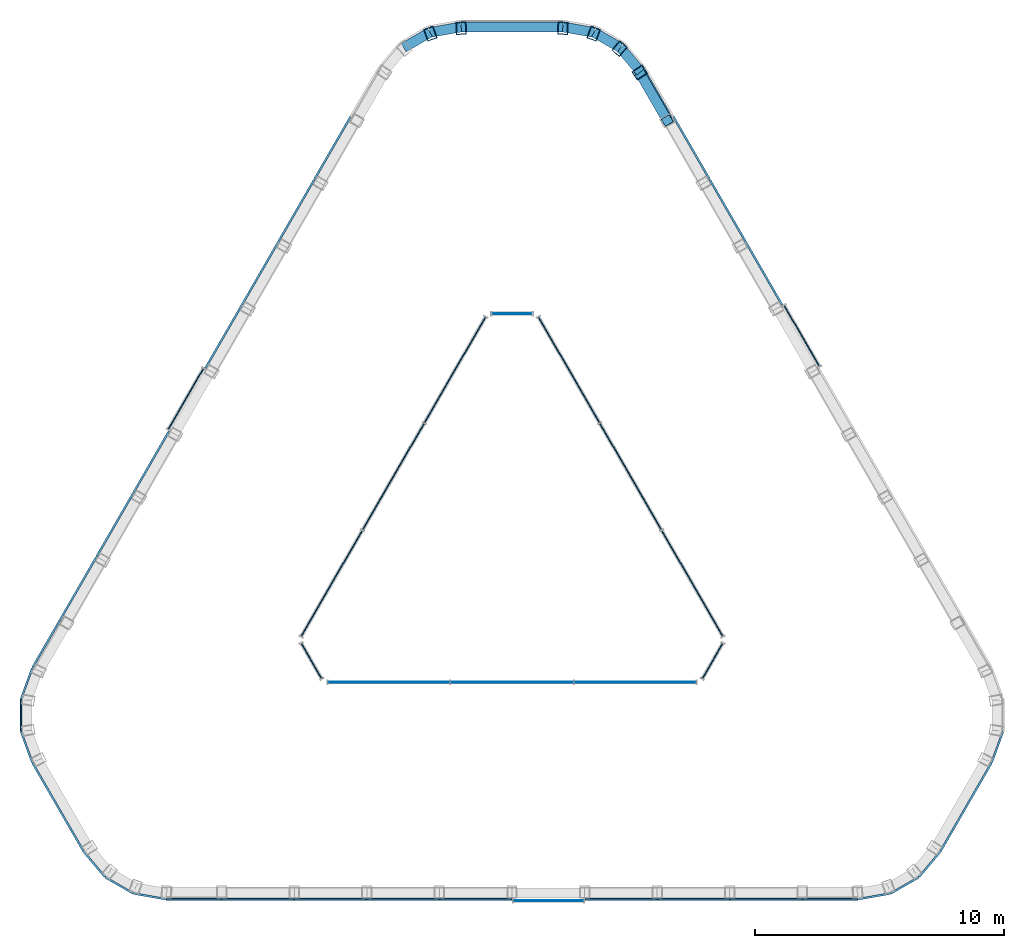
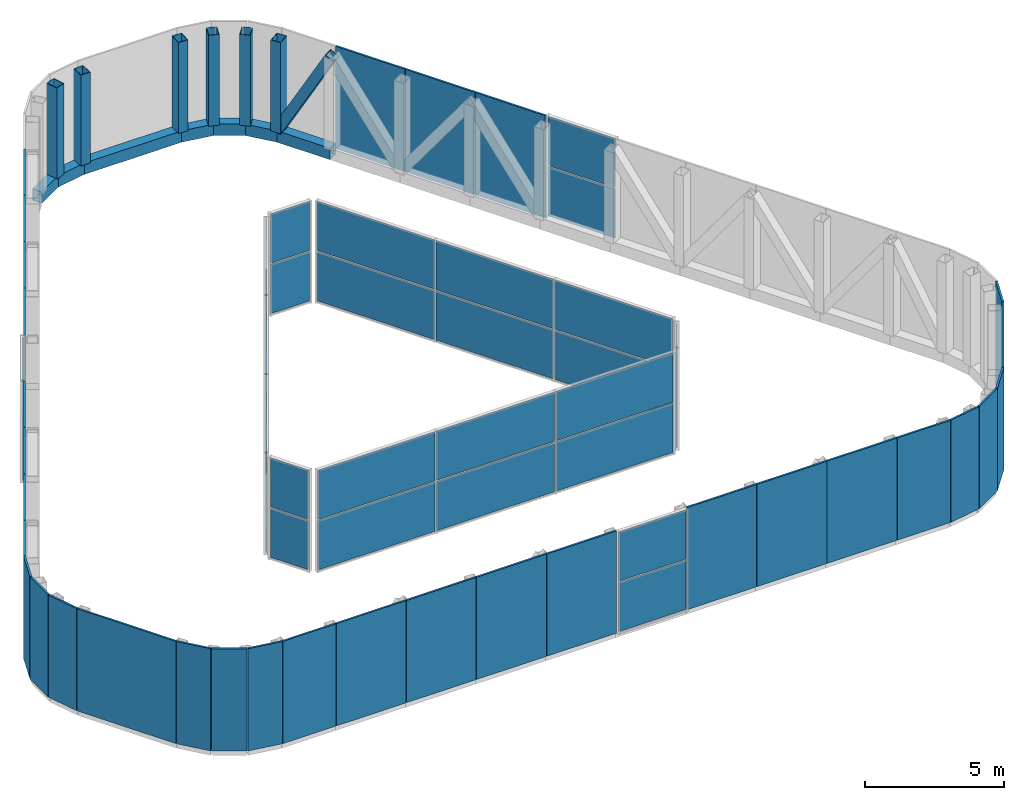
# One storey, part 4 of 5: 62 plates, 14 members, 9 elements without a shape of their own.
"""IFC4 building model written with IfcOpenShell, lengths in metres."""

from ifc_helpers import new_model, si_unit, direction, frame, origin, origin_2d, place, context, subcontext, project, spatial, rectangle, hollow_rectangle, extrude, material, layer, layer_set, material_profile, profile_set, type_object, element, aggregate, save


model = new_model("IFC4")

# Units and contexts
model_context = context("Model", 3, precision=1e-05, world=origin(), true_north=direction((0.0, 1.0)))
body_context = subcontext(model_context, "Body", "Model", "MODEL_VIEW")
ifc_project = project(units=[si_unit("LENGTHUNIT", "METRE"), si_unit("AREAUNIT", "SQUARE_METRE"), si_unit("VOLUMEUNIT", "CUBIC_METRE"), si_unit("PLANEANGLEUNIT", "RADIAN"), si_unit("MASSUNIT", "GRAM", prefix="KILO")], contexts=[model_context])

# Site, building, storey
site_placement = place(None, origin())
site = spatial("IfcSite", under=ifc_project, at=site_placement, CompositionType="ELEMENT")
building_placement = place(site_placement, origin())
building = spatial("IfcBuilding", under=site, at=building_placement, Name="Apuvela Tower Hotel", CompositionType="ELEMENT")
storey_placement = place(building_placement, frame((0.0, 0.0, 362.300048828125)))
storey = spatial("IfcBuildingStorey", under=building, at=storey_placement, Name="R-5 ROOF", CompositionType="ELEMENT", Elevation=362.300048828125)

# Members
ifc_material_1 = material(Name="Steel S355, black paint system", Category="steel")
ifc_material_profile_1 = material_profile(ifc_material_1, hollow_rectangle(XDim=0.39990234375, YDim=0.39990234375, WallThickness=0.01611328125, at=origin_2d()), Name="HSS 400x400x16")
ifc_profile_set_1 = profile_set([ifc_material_profile_1], Name="Steel S355, black paint system")
member_type_1 = type_object("IfcMemberType", Name="ENV-CROWN-BRACE-400x400", PredefinedType="BRACE", material=ifc_profile_set_1)
member_1_placement = place(storey_placement, frame((5.124755859375, 18.975830078125, 0.25), z_axis=(0.242948815269, -0.420705831623, 0.874060911148), x_axis=(0.865977099567, 0.500083656027, 0.0)))
element("IfcMember", 1, at=member_1_placement, inside=storey, type_object=member_type_1, Name="Crown frame brace 50", PredefinedType="BRACE", context=body_context, shape_type="SweptSolid", body=[
    extrude(hollow_rectangle(XDim=0.39990234375, YDim=0.39990234375, WallThickness=0.01611328125, at=origin_2d()), origin(), (0.0, 0.0, 1.0), 4.576416015625),
])
ifc_material_profile_2 = material_profile(ifc_material_1, hollow_rectangle(XDim=0.39990234375, YDim=0.5, WallThickness=0.02001953125, at=origin_2d()), Name="HSS 500x400x20")
ifc_profile_set_2 = profile_set([ifc_material_profile_2], Name="Steel S355, black paint system")
member_type_2 = type_object("IfcMemberType", Name="ENV-CROWN-POST-500x400", PredefinedType="POST", material=ifc_profile_set_2)
for number, where, z_axis, x_axis, name in (
    (2, (4.318115234375, 19.9375, 0.25), (0.0, 0.0, 1.0), (-0.763579690807, 0.645713601984, 0.0), "Crown frame post 1"),
    (3, (3.277099609375, 20.538330078125, 0.25), (0.0, 0.0, 1.0), (-0.940994228291, 0.33842260906, 0.0), "Crown frame post 2"),
    (4, (2.041015625, 20.75634765625, 0.25), (0.0, 0.0, 1.0), (-0.999161138639, 0.040951422845, 0.0), "Crown frame post 3"),
    (5, (-2.041015625, 20.75634765625, 0.25), (0.0, 0.0, 1.0), (-0.999161138639, -0.040951422845, 0.0), "Crown frame post 4"),
    (6, (-3.277099609375, 20.538330078125, 0.25), (0.0, 0.0, 1.0), (-0.940994228291, -0.33842260906, 0.0), "Crown frame post 5"),
    (7, (5.124755859375, 18.975830078125, 0.25), (0.0, 0.0, 1.0), (-0.553467140498, 0.832871013056, 0.0), "Crown frame post 51"),
):
    element("IfcMember", number, at=place(storey_placement, frame(where, z_axis=z_axis, x_axis=x_axis)), inside=storey, type_object=member_type_2, Name=name, PredefinedType="POST", context=body_context, shape_type="SweptSolid", body=[
        extrude(hollow_rectangle(XDim=0.39990234375, YDim=0.5, WallThickness=0.02001953125, at=origin_2d()), origin(), (0.0, 0.0, 1.0), 4.0),
    ])
ifc_material_profile_3 = material_profile(ifc_material_1, hollow_rectangle(XDim=0.39990234375, YDim=0.5, WallThickness=0.01611328125, at=origin_2d()), Name="HSS 500x400x16")
ifc_profile_set_3 = profile_set([ifc_material_profile_3], Name="Steel S355, black paint system")
member_type_3 = type_object("IfcMemberType", Name="ENV-CROWN-RING-500x400", PredefinedType="STRINGER", material=ifc_profile_set_3)
member_2_placement = place(storey_placement, frame((4.3505859375, 19.976318359375, 0.0), z_axis=(-0.865992225662, 0.50005746179, 0.0), x_axis=(-0.50005746179, -0.865992225662, 0.0)))
element("IfcMember", 8, at=member_2_placement, inside=storey, type_object=member_type_3, Name="Crown frame ring beam 5.1", PredefinedType="STRINGER", context=body_context, shape_type="SweptSolid", body=[
    extrude(hollow_rectangle(XDim=0.39990234375, YDim=0.5, WallThickness=0.01611328125, at=origin_2d()), origin(), (0.0, 0.0, 1.0), 1.219482421875),
])
member_3_placement = place(storey_placement, frame((3.29443359375, 20.586181640625, 0.0), z_axis=(-0.984810677158, 0.173631593197, 0.0), x_axis=(-0.173631593197, -0.984810677158, 0.0)))
element("IfcMember", 9, at=member_3_placement, inside=storey, type_object=member_type_3, Name="Crown frame ring beam 5.2", PredefinedType="STRINGER", context=body_context, shape_type="SweptSolid", body=[
    extrude(hollow_rectangle(XDim=0.39990234375, YDim=0.5, WallThickness=0.01611328125, at=origin_2d()), origin(), (0.0, 0.0, 1.0), 1.268310546875),
])
member_4_placement = place(storey_placement, frame((2.04541015625, 20.806396484375, 0.0), z_axis=(-1.0, 0.0, 0.0), x_axis=(0.0, -1.0, 0.0)))
element("IfcMember", 10, at=member_4_placement, inside=storey, type_object=member_type_3, Name="Crown frame ring beam 5.3", PredefinedType="STRINGER", context=body_context, shape_type="SweptSolid", body=[
    extrude(hollow_rectangle(XDim=0.39990234375, YDim=0.5, WallThickness=0.01611328125, at=origin_2d()), origin(), (0.0, 0.0, 1.0), 4.0908203125),
])
member_5_placement = place(storey_placement, frame((-2.04541015625, 20.806396484375, 0.0), z_axis=(-0.984810677158, -0.173631593197, 0.0), x_axis=(0.173631593197, -0.984810677158, 0.0)))
element("IfcMember", 11, at=member_5_placement, inside=storey, type_object=member_type_3, Name="Crown frame ring beam 5.4", PredefinedType="STRINGER", context=body_context, shape_type="SweptSolid", body=[
    extrude(hollow_rectangle(XDim=0.39990234375, YDim=0.5, WallThickness=0.01611328125, at=origin_2d()), origin(), (0.0, 0.0, 1.0), 1.268310546875),
])
member_6_placement = place(storey_placement, frame((-3.29443359375, 20.586181640625, 0.0), z_axis=(-0.865992225662, -0.50005746179, 0.0), x_axis=(0.50005746179, -0.865992225662, 0.0)))
element("IfcMember", 12, at=member_6_placement, inside=storey, type_object=member_type_3, Name="Crown frame ring beam 5.5", PredefinedType="STRINGER", context=body_context, shape_type="SweptSolid", body=[
    extrude(hollow_rectangle(XDim=0.39990234375, YDim=0.5, WallThickness=0.01611328125, at=origin_2d()), origin(), (0.0, 0.0, 1.0), 1.219482421875),
])
member_7_placement = place(storey_placement, frame((6.27783203125, 17.07861328125, 0.0), z_axis=(-0.499941024108, 0.866059450854, 0.0), x_axis=(-0.866059450854, -0.499941024108, 0.0)))
element("IfcMember", 13, at=member_7_placement, inside=storey, type_object=member_type_3, Name="Crown frame ring beam 5.50", PredefinedType="STRINGER", context=body_context, shape_type="SweptSolid", body=[
    extrude(hollow_rectangle(XDim=0.39990234375, YDim=0.5, WallThickness=0.01611328125, at=origin_2d()), origin(), (0.0, 0.0, 1.0), 2.223876953125),
])
member_8_placement = place(storey_placement, frame((5.166015625, 19.004638671875, 0.0), z_axis=(-0.642830918567, 0.766008100567, 0.0), x_axis=(-0.766008100567, -0.642830918567, 0.0)))
element("IfcMember", 14, at=member_8_placement, inside=storey, type_object=member_type_3, Name="Crown frame ring beam 5.51", PredefinedType="STRINGER", context=body_context, shape_type="SweptSolid", body=[
    extrude(hollow_rectangle(XDim=0.39990234375, YDim=0.5, WallThickness=0.01611328125, at=origin_2d()), origin(), (0.0, 0.0, 1.0), 1.2685546875),
])

# Plates
ifc_material_2 = material(Name="Aluminium 6063-T6, black anodised perforated panel", Category="aluminium")
ifc_layer_1 = layer(ifc_material_2, 0.080078125)
ifc_layer_set_1 = layer_set([ifc_layer_1], Name="ENV-CROWN-SCREEN-80")
plate_type_1 = type_object("IfcPlateType", Name="ENV-CROWN-SCREEN-80", PredefinedType="SHEET", material=ifc_layer_set_1)
for number, where, z_axis, x_axis, name in (
    (15, (-7.206298828125, 15.95068359375, 0.0), (0.0, 0.0, 1.0), (-0.5, -0.866025403784, 0.0), "Crown screen 8"),
    (16, (-8.6650390625, 13.42431640625, 0.0), (0.0, 0.0, 1.0), (-0.5, -0.866025403784, 0.0), "Crown screen 9"),
    (17, (-10.12353515625, 10.897705078125, 0.0), (0.0, 0.0, 1.0), (-0.5, -0.866025403784, 0.0), "Crown screen 10"),
    (18, (-11.582275390625, 8.371337890625, 0.0), (0.0, 0.0, 1.0), (-0.5, -0.866025403784, 0.0), "Crown screen 11"),
    (19, (-14.49951171875, 3.318359375, 0.0), (0.0, 0.0, 1.0), (-0.5, -0.866025403784, 0.0), "Crown screen 13"),
    (20, (-15.958251953125, 0.7919921875, 0.0), (0.0, 0.0, 1.0), (-0.5, -0.866025403784, 0.0), "Crown screen 14"),
    (21, (-17.4169921875, -1.734619140625, 0.0), (0.0, 0.0, 1.0), (-0.5, -0.866025403784, 0.0), "Crown screen 15"),
):
    element("IfcPlate", number, at=place(storey_placement, frame(where, z_axis=z_axis, x_axis=x_axis)), inside=storey, type_object=plate_type_1, Name=name, PredefinedType="SHEET", context=body_context, shape_type="SweptSolid", body=[
        extrude(rectangle(XDim=2.897216796875, YDim=0.080078125, at=origin_2d()), origin(), (0.0, 0.0, 1.0), 4.5),
    ])
plate_1_placement = place(storey_placement, frame((-18.702880859375, -3.962158203125, 0.0), z_axis=(0.0, 0.0, 1.0), x_axis=(-0.5, -0.866025403784, 0.0)))
element("IfcPlate", 22, at=plate_1_placement, inside=storey, type_object=plate_type_1, Name="Crown screen 16", PredefinedType="SHEET", context=body_context, shape_type="SweptSolid", body=[
    extrude(rectangle(XDim=2.20751953125, YDim=0.080078125, at=origin_2d()), origin(), (0.0, 0.0, 1.0), 4.5),
])
plate_2_placement = place(storey_placement, frame((-19.487548828125, -5.552490234375, 0.0), z_axis=(0.0, 0.0, 1.0), x_axis=(-0.342020143326, -0.939692620786, 0.0)))
element("IfcPlate", 23, at=plate_2_placement, inside=storey, type_object=plate_type_1, Name="Crown screen 17", PredefinedType="SHEET", context=body_context, shape_type="SweptSolid", body=[
    extrude(rectangle(XDim=1.311767578125, YDim=0.080078125, at=origin_2d()), origin(), (0.0, 0.0, 1.0), 4.5),
])
plate_3_placement = place(storey_placement, frame((-19.71533203125, -6.830078125, 0.0), z_axis=(0.0, 0.0, 1.0), x_axis=(0.0, -1.0, 0.0)))
element("IfcPlate", 24, at=plate_3_placement, inside=storey, type_object=plate_type_1, Name="Crown screen 18", PredefinedType="SHEET", context=body_context, shape_type="SweptSolid", body=[
    extrude(rectangle(XDim=1.2841796875, YDim=0.080078125, at=origin_2d()), origin(), (0.0, 0.0, 1.0), 4.5),
])
plate_4_placement = place(storey_placement, frame((-19.487548828125, -8.10791015625, 0.0), z_axis=(0.0, 0.0, 1.0), x_axis=(0.342020143326, -0.939692620786, 0.0)))
element("IfcPlate", 25, at=plate_4_placement, inside=storey, type_object=plate_type_1, Name="Crown screen 19", PredefinedType="SHEET", context=body_context, shape_type="SweptSolid", body=[
    extrude(rectangle(XDim=1.311767578125, YDim=0.080078125, at=origin_2d()), origin(), (0.0, 0.0, 1.0), 4.5),
])
plate_5_placement = place(storey_placement, frame((-18.226806640625, -10.523193359375, 0.0), z_axis=(0.0, 0.0, 1.0), x_axis=(0.5, -0.866025403784, 0.0)))
element("IfcPlate", 26, at=plate_5_placement, inside=storey, type_object=plate_type_1, Name="Crown screen 20", PredefinedType="SHEET", context=body_context, shape_type="SweptSolid", body=[
    extrude(rectangle(XDim=4.11279296875, YDim=0.080078125, at=origin_2d()), origin(), (0.0, 0.0, 1.0), 4.5),
])
plate_6_placement = place(storey_placement, frame((-16.765380859375, -12.82275390625, 0.0), z_axis=(0.0, 0.0, 1.0), x_axis=(0.642787609687, -0.766044443119, 0.0)))
element("IfcPlate", 27, at=plate_6_placement, inside=storey, type_object=plate_type_1, Name="Crown screen 21", PredefinedType="SHEET", context=body_context, shape_type="SweptSolid", body=[
    extrude(rectangle(XDim=1.311767578125, YDim=0.080078125, at=origin_2d()), origin(), (0.0, 0.0, 1.0), 4.5),
])
plate_7_placement = place(storey_placement, frame((-15.772705078125, -13.658935546875, 0.0), z_axis=(0.0, 0.0, 1.0), x_axis=(0.866025403784, -0.5, 0.0)))
element("IfcPlate", 28, at=plate_7_placement, inside=storey, type_object=plate_type_1, Name="Crown screen 22", PredefinedType="SHEET", context=body_context, shape_type="SweptSolid", body=[
    extrude(rectangle(XDim=1.2841796875, YDim=0.080078125, at=origin_2d()), origin(), (0.0, 0.0, 1.0), 4.5),
])
plate_8_placement = place(storey_placement, frame((-14.55224609375, -14.1005859375, 0.0), z_axis=(0.0, 0.0, 1.0), x_axis=(0.984807753012, -0.173648177667, 0.0)))
element("IfcPlate", 29, at=plate_8_placement, inside=storey, type_object=plate_type_1, Name="Crown screen 23", PredefinedType="SHEET", context=body_context, shape_type="SweptSolid", body=[
    extrude(rectangle(XDim=1.311767578125, YDim=0.080078125, at=origin_2d()), origin(), (0.0, 0.0, 1.0), 4.5),
])
plate_9_placement = place(storey_placement, frame((-12.782958984375, -14.21630859375, 0.0), z_axis=(0.0, 0.0, 1.0), x_axis=(1.0, 0.0, 0.0)))
element("IfcPlate", 30, at=plate_9_placement, inside=storey, type_object=plate_type_1, Name="Crown screen 24", PredefinedType="SHEET", context=body_context, shape_type="SweptSolid", body=[
    extrude(rectangle(XDim=2.20751953125, YDim=0.080078125, at=origin_2d()), origin(), (0.0, 0.0, 1.0), 4.5),
])
for number, where, z_axis, x_axis, name in (
    (31, (-10.210693359375, -14.21630859375, 0.0), (0.0, 0.0, 1.0), (1.0, 0.0, 0.0), "Crown screen 25"),
    (32, (-7.293212890625, -14.21630859375, 0.0), (0.0, 0.0, 1.0), (1.0, 0.0, 0.0), "Crown screen 26"),
    (33, (-4.3759765625, -14.21630859375, 0.0), (0.0, 0.0, 1.0), (1.0, 0.0, 0.0), "Crown screen 27"),
    (34, (-1.458740234375, -14.21630859375, 0.0), (0.0, 0.0, 1.0), (1.0, 0.0, 0.0), "Crown screen 28"),
    (35, (4.3759765625, -14.21630859375, 0.0), (0.0, 0.0, 1.0), (1.0, 0.0, 0.0), "Crown screen 30"),
    (36, (7.293212890625, -14.21630859375, 0.0), (0.0, 0.0, 1.0), (1.0, 0.0, 0.0), "Crown screen 31"),
    (37, (10.210693359375, -14.21630859375, 0.0), (0.0, 0.0, 1.0), (1.0, 0.0, 0.0), "Crown screen 32"),
):
    element("IfcPlate", number, at=place(storey_placement, frame(where, z_axis=z_axis, x_axis=x_axis)), inside=storey, type_object=plate_type_1, Name=name, PredefinedType="SHEET", context=body_context, shape_type="SweptSolid", body=[
        extrude(rectangle(XDim=2.897216796875, YDim=0.080078125, at=origin_2d()), origin(), (0.0, 0.0, 1.0), 4.5),
    ])
plate_10_placement = place(storey_placement, frame((12.782958984375, -14.21630859375, 0.0), z_axis=(0.0, 0.0, 1.0), x_axis=(1.0, 0.0, 0.0)))
element("IfcPlate", 38, at=plate_10_placement, inside=storey, type_object=plate_type_1, Name="Crown screen 33", PredefinedType="SHEET", context=body_context, shape_type="SweptSolid", body=[
    extrude(rectangle(XDim=2.20751953125, YDim=0.080078125, at=origin_2d()), origin(), (0.0, 0.0, 1.0), 4.5),
])
plate_11_placement = place(storey_placement, frame((14.55224609375, -14.1005859375, 0.0), z_axis=(0.0, 0.0, 1.0), x_axis=(0.984807753012, 0.173648177667, 0.0)))
element("IfcPlate", 39, at=plate_11_placement, inside=storey, type_object=plate_type_1, Name="Crown screen 34", PredefinedType="SHEET", context=body_context, shape_type="SweptSolid", body=[
    extrude(rectangle(XDim=1.311767578125, YDim=0.080078125, at=origin_2d()), origin(), (0.0, 0.0, 1.0), 4.5),
])
plate_12_placement = place(storey_placement, frame((15.772705078125, -13.658935546875, 0.0), z_axis=(0.0, 0.0, 1.0), x_axis=(0.866025403784, 0.5, 0.0)))
element("IfcPlate", 40, at=plate_12_placement, inside=storey, type_object=plate_type_1, Name="Crown screen 35", PredefinedType="SHEET", context=body_context, shape_type="SweptSolid", body=[
    extrude(rectangle(XDim=1.2841796875, YDim=0.080078125, at=origin_2d()), origin(), (0.0, 0.0, 1.0), 4.5),
])
plate_13_placement = place(storey_placement, frame((16.765380859375, -12.82275390625, 0.0), z_axis=(0.0, 0.0, 1.0), x_axis=(0.642787609687, 0.766044443119, 0.0)))
element("IfcPlate", 41, at=plate_13_placement, inside=storey, type_object=plate_type_1, Name="Crown screen 36", PredefinedType="SHEET", context=body_context, shape_type="SweptSolid", body=[
    extrude(rectangle(XDim=1.311767578125, YDim=0.080078125, at=origin_2d()), origin(), (0.0, 0.0, 1.0), 4.5),
])
plate_14_placement = place(storey_placement, frame((18.226806640625, -10.523193359375, 0.0), z_axis=(0.0, 0.0, 1.0), x_axis=(0.5, 0.866025403784, 0.0)))
element("IfcPlate", 42, at=plate_14_placement, inside=storey, type_object=plate_type_1, Name="Crown screen 37", PredefinedType="SHEET", context=body_context, shape_type="SweptSolid", body=[
    extrude(rectangle(XDim=4.11279296875, YDim=0.080078125, at=origin_2d()), origin(), (0.0, 0.0, 1.0), 4.5),
])
plate_15_placement = place(storey_placement, frame((19.487548828125, -8.10791015625, 0.0), z_axis=(0.0, 0.0, 1.0), x_axis=(0.342020143326, 0.939692620786, 0.0)))
element("IfcPlate", 43, at=plate_15_placement, inside=storey, type_object=plate_type_1, Name="Crown screen 38", PredefinedType="SHEET", context=body_context, shape_type="SweptSolid", body=[
    extrude(rectangle(XDim=1.311767578125, YDim=0.080078125, at=origin_2d()), origin(), (0.0, 0.0, 1.0), 4.5),
])
for number, where, z_axis, x_axis, name in (
    (44, (10.12353515625, 10.897705078125, 0.0), (0.0, 0.0, 1.0), (-0.5, 0.866025403784, 0.0), "Crown screen 47"),
    (45, (8.6650390625, 13.42431640625, 0.0), (0.0, 0.0, 1.0), (-0.5, 0.866025403784, 0.0), "Crown screen 48"),
    (46, (7.206298828125, 15.95068359375, 0.0), (0.0, 0.0, 1.0), (-0.5, 0.866025403784, 0.0), "Crown screen 49"),
):
    element("IfcPlate", number, at=place(storey_placement, frame(where, z_axis=z_axis, x_axis=x_axis)), inside=storey, type_object=plate_type_1, Name=name, PredefinedType="SHEET", context=body_context, shape_type="SweptSolid", body=[
        extrude(rectangle(XDim=2.897216796875, YDim=0.080078125, at=origin_2d()), origin(), (0.0, 0.0, 1.0), 4.5),
    ])

# Curtain wall, plates
ifc_material_3 = material(Name="Aluminium 6063-T6, dark bronze anodised", Category="aluminium")
ifc_layer_2 = layer(ifc_material_3, 0.199951171875)
ifc_layer_set_2 = layer_set([ifc_layer_2], Name="ENV-CW-C")
curtain_wall_type_1 = type_object("IfcCurtainWallType", Name="ENV-CW-C", PredefinedType="NOTDEFINED", material=ifc_layer_set_2)
curtain_wall_1_placement = place(storey_placement, origin())
curtain_wall_1 = element("IfcCurtainWall", 47, at=curtain_wall_1_placement, inside=storey, type_object=curtain_wall_type_1, Name="Crown glazing 12 R-5 ROOF", PredefinedType="NOTDEFINED")
ifc_material_4 = material(Name="Glass, dark tinted laminated insulated glazing unit", Category="glass")
ifc_layer_3 = layer(ifc_material_4, 0.0400390625)
ifc_layer_set_3 = layer_set([ifc_layer_3], Name="ENV-PANEL-IGU-40")
plate_type_2 = type_object("IfcPlateType", Name="ENV-PANEL-IGU-40", PredefinedType="CURTAIN_PANEL", material=ifc_layer_set_3)
plate_16_placement = place(storey_placement, frame((-13.093017578125, 5.874755859375, 0.06494140625), z_axis=(0.0, 0.0, 1.0), x_axis=(-0.499980601426, -0.866036603266, 0.0)))
plate_16 = element("IfcPlate", 48, at=plate_16_placement, type_object=plate_type_2, Name="CW-C panel 1.1", PredefinedType="CURTAIN_PANEL", context=body_context, shape_type="SweptSolid", body=[
    extrude(rectangle(XDim=2.787353515625, YDim=0.0400390625, at=origin_2d()), origin(), (0.0, 0.0, 1.0), 2.152587890625),
])
plate_17_placement = place(storey_placement, frame((-13.093017578125, 5.874755859375, 2.2822265625), z_axis=(0.0, 0.0, 1.0), x_axis=(-0.499980601426, -0.866036603266, 0.0)))
plate_17 = element("IfcPlate", 49, at=plate_17_placement, type_object=plate_type_2, Name="CW-C panel 1.2", PredefinedType="CURTAIN_PANEL", context=body_context, shape_type="SweptSolid", body=[
    extrude(rectangle(XDim=2.787353515625, YDim=0.0400390625, at=origin_2d()), origin(), (0.0, 0.0, 1.0), 2.152587890625),
])
aggregate(curtain_wall_1, [plate_16, plate_17])

curtain_wall_2_placement = place(storey_placement, origin())
curtain_wall_2 = element("IfcCurtainWall", 50, at=curtain_wall_2_placement, inside=storey, type_object=curtain_wall_type_1, Name="Crown glazing 29 R-5 ROOF", PredefinedType="NOTDEFINED")
plate_18_placement = place(storey_placement, frame((1.458740234375, -14.276123046875, 0.06494140625), z_axis=(0.0, 0.0, 1.0), x_axis=(1.0, 0.0, 0.0)))
plate_18 = element("IfcPlate", 51, at=plate_18_placement, type_object=plate_type_2, Name="CW-C panel 1.1", PredefinedType="CURTAIN_PANEL", context=body_context, shape_type="SweptSolid", body=[
    extrude(rectangle(XDim=2.787353515625, YDim=0.0400390625, at=origin_2d()), origin(), (0.0, 0.0, 1.0), 2.152587890625),
])
plate_19_placement = place(storey_placement, frame((1.458740234375, -14.276123046875, 2.2822265625), z_axis=(0.0, 0.0, 1.0), x_axis=(1.0, 0.0, 0.0)))
plate_19 = element("IfcPlate", 52, at=plate_19_placement, type_object=plate_type_2, Name="CW-C panel 1.2", PredefinedType="CURTAIN_PANEL", context=body_context, shape_type="SweptSolid", body=[
    extrude(rectangle(XDim=2.787353515625, YDim=0.0400390625, at=origin_2d()), origin(), (0.0, 0.0, 1.0), 2.152587890625),
])
aggregate(curtain_wall_2, [plate_18, plate_19])

curtain_wall_3_placement = place(storey_placement, origin())
curtain_wall_3 = element("IfcCurtainWall", 53, at=curtain_wall_3_placement, inside=storey, type_object=curtain_wall_type_1, Name="Crown glazing 46 R-5 ROOF", PredefinedType="NOTDEFINED")
plate_20_placement = place(storey_placement, frame((11.63427734375, 8.4013671875, 0.06494140625), z_axis=(0.0, 0.0, 1.0), x_axis=(-0.500006310028, 0.866021760657, 0.0)))
plate_20 = element("IfcPlate", 54, at=plate_20_placement, type_object=plate_type_2, Name="CW-C panel 1.1", PredefinedType="CURTAIN_PANEL", context=body_context, shape_type="SweptSolid", body=[
    extrude(rectangle(XDim=2.787353515625, YDim=0.0400390625, at=origin_2d()), origin(), (0.0, 0.0, 1.0), 2.152587890625),
])
plate_21_placement = place(storey_placement, frame((11.63427734375, 8.4013671875, 2.2822265625), z_axis=(0.0, 0.0, 1.0), x_axis=(-0.500006310028, 0.866021760657, 0.0)))
plate_21 = element("IfcPlate", 55, at=plate_21_placement, type_object=plate_type_2, Name="CW-C panel 1.2", PredefinedType="CURTAIN_PANEL", context=body_context, shape_type="SweptSolid", body=[
    extrude(rectangle(XDim=2.787353515625, YDim=0.0400390625, at=origin_2d()), origin(), (0.0, 0.0, 1.0), 2.152587890625),
])
aggregate(curtain_wall_3, [plate_20, plate_21])

ifc_layer_4 = layer(ifc_material_3, 0.199951171875)
ifc_layer_set_4 = layer_set([ifc_layer_4], Name="ENV-CW-A")
curtain_wall_type_2 = type_object("IfcCurtainWallType", Name="ENV-CW-A", PredefinedType="NOTDEFINED", material=ifc_layer_set_4)
curtain_wall_4_placement = place(storey_placement, origin())
curtain_wall_4 = element("IfcCurtainWall", 56, at=curtain_wall_4_placement, inside=storey, type_object=curtain_wall_type_2, Name="Atrium glazing 1 R-5 ROOF", PredefinedType="NOTDEFINED")
plate_22_placement = place(storey_placement, frame((0.0, 9.300048828125, 0.06494140625), z_axis=(0.0, 0.0, 1.0), x_axis=(-1.0, 0.0, 0.0)))
plate_22 = element("IfcPlate", 57, at=plate_22_placement, type_object=plate_type_2, Name="CW-A panel 1.1", PredefinedType="CURTAIN_PANEL", context=body_context, shape_type="SweptSolid", body=[
    extrude(rectangle(XDim=1.60205078125, YDim=0.0400390625, at=origin_2d()), origin(), (0.0, 0.0, 1.0), 2.152587890625),
])
plate_23_placement = place(storey_placement, frame((0.0, 9.300048828125, 2.2822265625), z_axis=(0.0, 0.0, 1.0), x_axis=(-1.0, 0.0, 0.0)))
plate_23 = element("IfcPlate", 58, at=plate_23_placement, type_object=plate_type_2, Name="CW-A panel 1.2", PredefinedType="CURTAIN_PANEL", context=body_context, shape_type="SweptSolid", body=[
    extrude(rectangle(XDim=1.60205078125, YDim=0.0400390625, at=origin_2d()), origin(), (0.0, 0.0, 1.0), 2.152587890625),
])
aggregate(curtain_wall_4, [plate_22, plate_23])

curtain_wall_5_placement = place(storey_placement, origin())
curtain_wall_5 = element("IfcCurtainWall", 59, at=curtain_wall_5_placement, inside=storey, type_object=curtain_wall_type_2, Name="Atrium glazing 2 R-5 ROOF", PredefinedType="NOTDEFINED")
plate_24_placement = place(storey_placement, frame((-2.28857421875, 7.035888671875, 0.06494140625), z_axis=(0.0, 0.0, 1.0), x_axis=(-0.499999069899, -0.866025940778, 0.0)))
plate_24 = element("IfcPlate", 60, at=plate_24_placement, type_object=plate_type_2, Name="CW-A panel 1.1", PredefinedType="CURTAIN_PANEL", context=body_context, shape_type="SweptSolid", body=[
    extrude(rectangle(XDim=4.86767578125, YDim=0.0400390625, at=origin_2d()), origin(), (0.0, 0.0, 1.0), 2.152587890625),
])
plate_25_placement = place(storey_placement, frame((-2.28857421875, 7.035888671875, 2.2822265625), z_axis=(0.0, 0.0, 1.0), x_axis=(-0.499999069899, -0.866025940778, 0.0)))
plate_25 = element("IfcPlate", 61, at=plate_25_placement, type_object=plate_type_2, Name="CW-A panel 1.2", PredefinedType="CURTAIN_PANEL", context=body_context, shape_type="SweptSolid", body=[
    extrude(rectangle(XDim=4.86767578125, YDim=0.0400390625, at=origin_2d()), origin(), (0.0, 0.0, 1.0), 2.152587890625),
])
plate_26_placement = place(storey_placement, frame((-4.76318359375, 2.75, 0.06494140625), z_axis=(0.0, 0.0, 1.0), x_axis=(-0.499999069899, -0.866025940778, 0.0)))
plate_26 = element("IfcPlate", 62, at=plate_26_placement, type_object=plate_type_2, Name="CW-A panel 2.1", PredefinedType="CURTAIN_PANEL", context=body_context, shape_type="SweptSolid", body=[
    extrude(rectangle(XDim=4.900146484375, YDim=0.0400390625, at=origin_2d()), origin(), (0.0, 0.0, 1.0), 2.152587890625),
])
plate_27_placement = place(storey_placement, frame((-4.76318359375, 2.75, 2.2822265625), z_axis=(0.0, 0.0, 1.0), x_axis=(-0.499999069899, -0.866025940778, 0.0)))
plate_27 = element("IfcPlate", 63, at=plate_27_placement, type_object=plate_type_2, Name="CW-A panel 2.2", PredefinedType="CURTAIN_PANEL", context=body_context, shape_type="SweptSolid", body=[
    extrude(rectangle(XDim=4.900146484375, YDim=0.0400390625, at=origin_2d()), origin(), (0.0, 0.0, 1.0), 2.152587890625),
])
plate_28_placement = place(storey_placement, frame((-7.237548828125, -1.535888671875, 0.06494140625), z_axis=(0.0, 0.0, 1.0), x_axis=(-0.499999069899, -0.866025940778, 0.0)))
plate_28 = element("IfcPlate", 64, at=plate_28_placement, type_object=plate_type_2, Name="CW-A panel 3.1", PredefinedType="CURTAIN_PANEL", context=body_context, shape_type="SweptSolid", body=[
    extrude(rectangle(XDim=4.86767578125, YDim=0.0400390625, at=origin_2d()), origin(), (0.0, 0.0, 1.0), 2.152587890625),
])
plate_29_placement = place(storey_placement, frame((-7.237548828125, -1.535888671875, 2.2822265625), z_axis=(0.0, 0.0, 1.0), x_axis=(-0.499999069899, -0.866025940778, 0.0)))
plate_29 = element("IfcPlate", 65, at=plate_29_placement, type_object=plate_type_2, Name="CW-A panel 3.2", PredefinedType="CURTAIN_PANEL", context=body_context, shape_type="SweptSolid", body=[
    extrude(rectangle(XDim=4.86767578125, YDim=0.0400390625, at=origin_2d()), origin(), (0.0, 0.0, 1.0), 2.152587890625),
])
aggregate(curtain_wall_5, [plate_24, plate_25, plate_26, plate_27, plate_28, plate_29])

curtain_wall_6_placement = place(storey_placement, origin())
curtain_wall_6 = element("IfcCurtainWall", 66, at=curtain_wall_6_placement, inside=storey, type_object=curtain_wall_type_2, Name="Atrium glazing 3 R-5 ROOF", PredefinedType="NOTDEFINED")
plate_30_placement = place(storey_placement, frame((-8.053955078125, -4.64990234375, 0.06494140625), z_axis=(0.0, 0.0, 1.0), x_axis=(0.49998899972, -0.866031754706, 0.0)))
plate_30 = element("IfcPlate", 67, at=plate_30_placement, type_object=plate_type_2, Name="CW-A panel 1.1", PredefinedType="CURTAIN_PANEL", context=body_context, shape_type="SweptSolid", body=[
    extrude(rectangle(XDim=1.60205078125, YDim=0.0400390625, at=origin_2d()), origin(), (0.0, 0.0, 1.0), 2.152587890625),
])
plate_31_placement = place(storey_placement, frame((-8.053955078125, -4.64990234375, 2.2822265625), z_axis=(0.0, 0.0, 1.0), x_axis=(0.49998899972, -0.866031754706, 0.0)))
plate_31 = element("IfcPlate", 68, at=plate_31_placement, type_object=plate_type_2, Name="CW-A panel 1.2", PredefinedType="CURTAIN_PANEL", context=body_context, shape_type="SweptSolid", body=[
    extrude(rectangle(XDim=1.60205078125, YDim=0.0400390625, at=origin_2d()), origin(), (0.0, 0.0, 1.0), 2.152587890625),
])
aggregate(curtain_wall_6, [plate_30, plate_31])

curtain_wall_7_placement = place(storey_placement, origin())
curtain_wall_7 = element("IfcCurtainWall", 69, at=curtain_wall_7_placement, inside=storey, type_object=curtain_wall_type_2, Name="Atrium glazing 4 R-5 ROOF", PredefinedType="NOTDEFINED")
plate_32_placement = place(storey_placement, frame((-4.948974609375, -5.5, 0.06494140625), z_axis=(0.0, 0.0, 1.0), x_axis=(1.0, 0.0, 0.0)))
plate_32 = element("IfcPlate", 70, at=plate_32_placement, type_object=plate_type_2, Name="CW-A panel 1.1", PredefinedType="CURTAIN_PANEL", context=body_context, shape_type="SweptSolid", body=[
    extrude(rectangle(XDim=4.86767578125, YDim=0.0400390625, at=origin_2d()), origin(), (0.0, 0.0, 1.0), 2.152587890625),
])
plate_33_placement = place(storey_placement, frame((-4.948974609375, -5.5, 2.2822265625), z_axis=(0.0, 0.0, 1.0), x_axis=(1.0, 0.0, 0.0)))
plate_33 = element("IfcPlate", 71, at=plate_33_placement, type_object=plate_type_2, Name="CW-A panel 1.2", PredefinedType="CURTAIN_PANEL", context=body_context, shape_type="SweptSolid", body=[
    extrude(rectangle(XDim=4.86767578125, YDim=0.0400390625, at=origin_2d()), origin(), (0.0, 0.0, 1.0), 2.152587890625),
])
plate_34_placement = place(storey_placement, frame((0.0, -5.5, 0.06494140625), z_axis=(0.0, 0.0, 1.0), x_axis=(1.0, 0.0, 0.0)))
plate_34 = element("IfcPlate", 72, at=plate_34_placement, type_object=plate_type_2, Name="CW-A panel 2.1", PredefinedType="CURTAIN_PANEL", context=body_context, shape_type="SweptSolid", body=[
    extrude(rectangle(XDim=4.900146484375, YDim=0.0400390625, at=origin_2d()), origin(), (0.0, 0.0, 1.0), 2.152587890625),
])
plate_35_placement = place(storey_placement, frame((0.0, -5.5, 2.2822265625), z_axis=(0.0, 0.0, 1.0), x_axis=(1.0, 0.0, 0.0)))
plate_35 = element("IfcPlate", 73, at=plate_35_placement, type_object=plate_type_2, Name="CW-A panel 2.2", PredefinedType="CURTAIN_PANEL", context=body_context, shape_type="SweptSolid", body=[
    extrude(rectangle(XDim=4.900146484375, YDim=0.0400390625, at=origin_2d()), origin(), (0.0, 0.0, 1.0), 2.152587890625),
])
plate_36_placement = place(storey_placement, frame((4.948974609375, -5.5, 0.06494140625), z_axis=(0.0, 0.0, 1.0), x_axis=(1.0, 0.0, 0.0)))
plate_36 = element("IfcPlate", 74, at=plate_36_placement, type_object=plate_type_2, Name="CW-A panel 3.1", PredefinedType="CURTAIN_PANEL", context=body_context, shape_type="SweptSolid", body=[
    extrude(rectangle(XDim=4.86767578125, YDim=0.0400390625, at=origin_2d()), origin(), (0.0, 0.0, 1.0), 2.152587890625),
])
plate_37_placement = place(storey_placement, frame((4.948974609375, -5.5, 2.2822265625), z_axis=(0.0, 0.0, 1.0), x_axis=(1.0, 0.0, 0.0)))
plate_37 = element("IfcPlate", 75, at=plate_37_placement, type_object=plate_type_2, Name="CW-A panel 3.2", PredefinedType="CURTAIN_PANEL", context=body_context, shape_type="SweptSolid", body=[
    extrude(rectangle(XDim=4.86767578125, YDim=0.0400390625, at=origin_2d()), origin(), (0.0, 0.0, 1.0), 2.152587890625),
])
aggregate(curtain_wall_7, [plate_32, plate_33, plate_34, plate_35, plate_36, plate_37])

curtain_wall_8_placement = place(storey_placement, origin())
curtain_wall_8 = element("IfcCurtainWall", 76, at=curtain_wall_8_placement, inside=storey, type_object=curtain_wall_type_2, Name="Atrium glazing 5 R-5 ROOF", PredefinedType="NOTDEFINED")
plate_38_placement = place(storey_placement, frame((8.053955078125, -4.64990234375, 0.06494140625), z_axis=(0.0, 0.0, 1.0), x_axis=(0.49998899972, 0.866031754706, 0.0)))
plate_38 = element("IfcPlate", 77, at=plate_38_placement, type_object=plate_type_2, Name="CW-A panel 1.1", PredefinedType="CURTAIN_PANEL", context=body_context, shape_type="SweptSolid", body=[
    extrude(rectangle(XDim=1.60205078125, YDim=0.0400390625, at=origin_2d()), origin(), (0.0, 0.0, 1.0), 2.152587890625),
])
plate_39_placement = place(storey_placement, frame((8.053955078125, -4.64990234375, 2.2822265625), z_axis=(0.0, 0.0, 1.0), x_axis=(0.49998899972, 0.866031754706, 0.0)))
plate_39 = element("IfcPlate", 78, at=plate_39_placement, type_object=plate_type_2, Name="CW-A panel 1.2", PredefinedType="CURTAIN_PANEL", context=body_context, shape_type="SweptSolid", body=[
    extrude(rectangle(XDim=1.60205078125, YDim=0.0400390625, at=origin_2d()), origin(), (0.0, 0.0, 1.0), 2.152587890625),
])
aggregate(curtain_wall_8, [plate_38, plate_39])

curtain_wall_9_placement = place(storey_placement, origin())
curtain_wall_9 = element("IfcCurtainWall", 79, at=curtain_wall_9_placement, inside=storey, type_object=curtain_wall_type_2, Name="Atrium glazing 6 R-5 ROOF", PredefinedType="NOTDEFINED")
plate_40_placement = place(storey_placement, frame((7.237548828125, -1.535888671875, 0.06494140625), z_axis=(0.0, 0.0, 1.0), x_axis=(-0.499999069899, 0.866025940778, 0.0)))
plate_40 = element("IfcPlate", 80, at=plate_40_placement, type_object=plate_type_2, Name="CW-A panel 1.1", PredefinedType="CURTAIN_PANEL", context=body_context, shape_type="SweptSolid", body=[
    extrude(rectangle(XDim=4.86767578125, YDim=0.0400390625, at=origin_2d()), origin(), (0.0, 0.0, 1.0), 2.152587890625),
])
plate_41_placement = place(storey_placement, frame((7.237548828125, -1.535888671875, 2.2822265625), z_axis=(0.0, 0.0, 1.0), x_axis=(-0.499999069899, 0.866025940778, 0.0)))
plate_41 = element("IfcPlate", 81, at=plate_41_placement, type_object=plate_type_2, Name="CW-A panel 1.2", PredefinedType="CURTAIN_PANEL", context=body_context, shape_type="SweptSolid", body=[
    extrude(rectangle(XDim=4.86767578125, YDim=0.0400390625, at=origin_2d()), origin(), (0.0, 0.0, 1.0), 2.152587890625),
])
plate_42_placement = place(storey_placement, frame((4.76318359375, 2.75, 0.06494140625), z_axis=(0.0, 0.0, 1.0), x_axis=(-0.499999069899, 0.866025940778, 0.0)))
plate_42 = element("IfcPlate", 82, at=plate_42_placement, type_object=plate_type_2, Name="CW-A panel 2.1", PredefinedType="CURTAIN_PANEL", context=body_context, shape_type="SweptSolid", body=[
    extrude(rectangle(XDim=4.900146484375, YDim=0.0400390625, at=origin_2d()), origin(), (0.0, 0.0, 1.0), 2.152587890625),
])
plate_43_placement = place(storey_placement, frame((4.76318359375, 2.75, 2.2822265625), z_axis=(0.0, 0.0, 1.0), x_axis=(-0.499999069899, 0.866025940778, 0.0)))
plate_43 = element("IfcPlate", 83, at=plate_43_placement, type_object=plate_type_2, Name="CW-A panel 2.2", PredefinedType="CURTAIN_PANEL", context=body_context, shape_type="SweptSolid", body=[
    extrude(rectangle(XDim=4.900146484375, YDim=0.0400390625, at=origin_2d()), origin(), (0.0, 0.0, 1.0), 2.152587890625),
])
plate_44_placement = place(storey_placement, frame((2.28857421875, 7.035888671875, 0.06494140625), z_axis=(0.0, 0.0, 1.0), x_axis=(-0.499999069899, 0.866025940778, 0.0)))
plate_44 = element("IfcPlate", 84, at=plate_44_placement, type_object=plate_type_2, Name="CW-A panel 3.1", PredefinedType="CURTAIN_PANEL", context=body_context, shape_type="SweptSolid", body=[
    extrude(rectangle(XDim=4.86767578125, YDim=0.0400390625, at=origin_2d()), origin(), (0.0, 0.0, 1.0), 2.152587890625),
])
plate_45_placement = place(storey_placement, frame((2.28857421875, 7.035888671875, 2.2822265625), z_axis=(0.0, 0.0, 1.0), x_axis=(-0.499999069899, 0.866025940778, 0.0)))
plate_45 = element("IfcPlate", 85, at=plate_45_placement, type_object=plate_type_2, Name="CW-A panel 3.2", PredefinedType="CURTAIN_PANEL", context=body_context, shape_type="SweptSolid", body=[
    extrude(rectangle(XDim=4.86767578125, YDim=0.0400390625, at=origin_2d()), origin(), (0.0, 0.0, 1.0), 2.152587890625),
])
aggregate(curtain_wall_9, [plate_40, plate_41, plate_42, plate_43, plate_44, plate_45])

save(model, "model.ifc")
